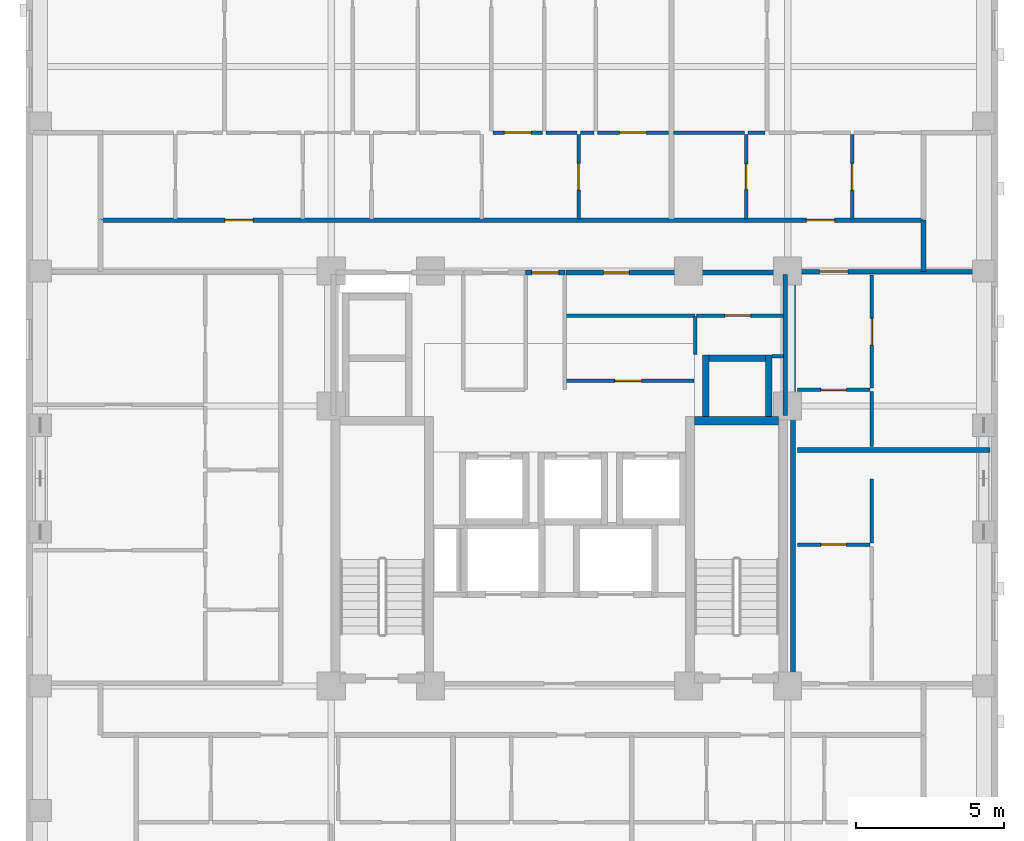
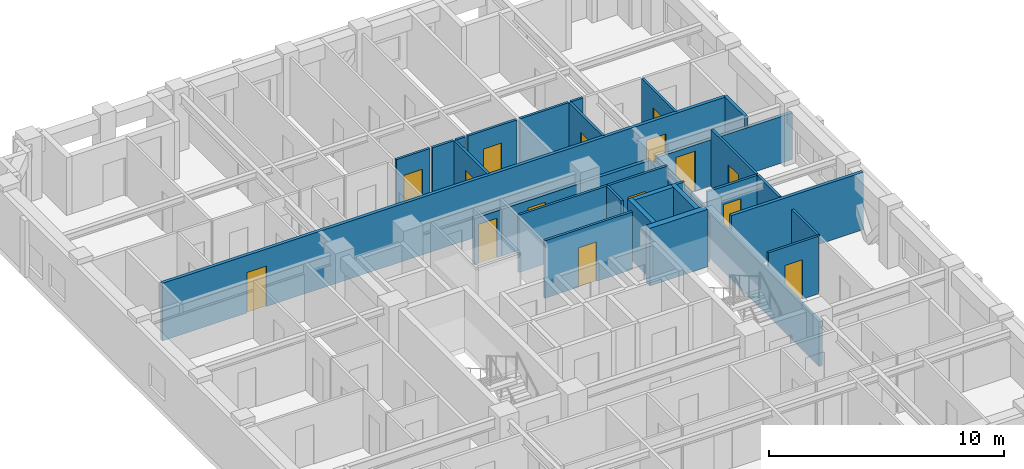
# One storey, part 6 of 11: 31 walls, 15 doors, 15 openings.
"""IFC4 building model written with IfcOpenShell, lengths in metres."""

from ifc_helpers import new_model, si_unit, derived_unit, direction, frame, frame_2d, origin, place, context, subcontext, project, spatial, rectangle, extrude, material, layer, layer_set, type_object, element, fill, save


model = new_model("IFC4")

# Units and contexts
model_context = context("Model", 3, precision=1e-05, world=origin(), true_north=direction((0.0, 1.0)))
body_context = subcontext(model_context, "Body", "Model", "MODEL_VIEW")
ifc_project = project(units=[si_unit("LENGTHUNIT", "METRE"), si_unit("AREAUNIT", "SQUARE_METRE"), si_unit("VOLUMEUNIT", "CUBIC_METRE"), si_unit("PLANEANGLEUNIT", "RADIAN"), si_unit("MASSUNIT", "GRAM", prefix="KILO"), derived_unit("THERMALTRANSMITTANCEUNIT", [(si_unit("MASSUNIT", "GRAM", prefix="KILO"), 1), (si_unit("TIMEUNIT", "SECOND"), -3), (si_unit("THERMODYNAMICTEMPERATUREUNIT", "KELVIN"), -1)])], contexts=[model_context])

# Site, building, storey
site_placement = place(None, origin())
site = spatial("IfcSite", under=ifc_project, at=site_placement, CompositionType="ELEMENT")
building_placement = place(site_placement, origin())
building = spatial("IfcBuilding", under=site, at=building_placement, Name="Korrvale Station Residences", CompositionType="ELEMENT")
storey_placement = place(building_placement, frame((0.0, 0.0, 137.39990234375)))
storey = spatial("IfcBuildingStorey", under=building, at=storey_placement, Name="L39", CompositionType="ELEMENT", Elevation=137.39990234375)

# Walls
ifc_material_1 = material(Name="Concrete C60/75", Category="concrete")
ifc_layer_1 = layer(ifc_material_1, 0.300048828125, Name="Concrete C60/75")
ifc_layer_set_1 = layer_set([ifc_layer_1], Name="Concrete C60/75")
wall_type_1 = type_object("IfcWallType", Name="WAL-CORE-300-C60", PredefinedType="SHEAR", material=ifc_layer_set_1)
wall_1_placement = place(storey_placement, frame((30.050048828125, 23.949951171875, 0.0), z_axis=(0.0, 0.0, 1.0), x_axis=(1.0, 0.0, 0.0)))
element("IfcWall", 1, at=wall_1_placement, inside=storey, type_object=wall_type_1, Name="L39 ST-2 Core Shear Wall North", PredefinedType="SHEAR", context=body_context, shape_type="SweptSolid", body=[
    extrude(rectangle(XDim=2.849853515625, YDim=0.300048828125, at=frame_2d((1.4248046875, 0.0))), origin(), (0.0, 0.0, 1.0), 2.989990234375),
])
ifc_material_2 = material(Name="Acoustic steel-stud gypsum board partition", Category="steel")
ifc_layer_2 = layer(ifc_material_2, 0.1201171875, Name="Acoustic steel-stud gypsum board partition")
ifc_layer_set_2 = layer_set([ifc_layer_2], Name="Acoustic steel-stud gypsum board partition")
wall_type_2 = type_object("IfcWallType", Name="WAL-PART-125", PredefinedType="PARTITIONING", material=ifc_layer_set_2)
wall_2_placement = place(storey_placement, frame((30.080078125, 26.179931640625, 0.0), z_axis=(0.0, 0.0, 1.0), x_axis=(0.0, 1.0, 0.0)))
element("IfcWall", 2, at=wall_2_placement, inside=storey, type_object=wall_type_2, Name="L39 Core Partition CW-CS-W", PredefinedType="PARTITIONING", context=body_context, shape_type="SweptSolid", body=[
    extrude(rectangle(XDim=1.280029296875, YDim=0.1201171875, at=frame_2d((0.64013671875, 0.0))), origin(), (0.0, 0.0, 1.0), 2.989990234375),
])
wall_3_placement = place(storey_placement, frame((32.679931640625, 26.1201171875, 0.0), z_axis=(0.0, 0.0, 1.0), x_axis=(1.0, 0.0, 0.0)))
element("IfcWall", 3, at=wall_3_placement, inside=storey, type_object=wall_type_2, Name="L39 Core Partition CW-CS-S", PredefinedType="PARTITIONING", context=body_context, shape_type="SweptSolid", body=[
    extrude(rectangle(XDim=0.380126953125, YDim=0.1201171875, at=frame_2d((0.18994140625, 0.0))), origin(), (0.0, 0.0, 1.0), 2.989990234375),
])

# Wall, opening, door
wall_4_placement = place(storey_placement, frame((30.1201171875, 27.5, 0.0), z_axis=(0.0, 0.0, 1.0), x_axis=(1.0, 0.0, 0.0)))
wall_4 = element("IfcWall", 4, at=wall_4_placement, inside=storey, type_object=wall_type_2, Name="L39 Core Partition CW-CS-H", PredefinedType="PARTITIONING", context=body_context, shape_type="SweptSolid", body=[
    extrude(rectangle(XDim=2.919921875, YDim=0.1201171875, at=frame_2d((1.4599609375, 0.0))), origin(), (0.0, 0.0, 1.0), 2.989990234375),
])
opening_1_placement = place(wall_4_placement, frame((0.969970703125, 0.0, 0.0)))
opening_1 = element("IfcOpeningElement", 5, at=opening_1_placement, cuts=wall_4, Name="Opening DB-860", PredefinedType="OPENING", context=body_context, shape_type="SweptSolid", body=[
    extrude(rectangle(XDim=0.860107421875, YDim=2.050048828125, at=frame_2d((0.43017578125, 1.02490234375))), frame((0.0, 0.070068359375, 0.0), z_axis=(0.0, -1.0, 0.0), x_axis=(1.0, 0.0, 0.0)), (0.0, 0.0, 1.0), 0.14013671875),
])
ifc_material_3 = material(Name="Moisture-resistant solid-core bathroom door", Category="timber")
door_type_1 = type_object("IfcDoorType", Name="DR-BATH-860", OperationType="NOTDEFINED", PredefinedType="DOOR", material=ifc_material_3)
door_1_placement = place(opening_1_placement, origin())
door_1 = element("IfcDoor", 6, at=door_1_placement, inside=storey, type_object=door_type_1, Name="L39 Mail Sorting Inner Door", OperationType="SINGLE_SWING_LEFT", OverallHeight=2.050048828125, OverallWidth=0.860107421875, PredefinedType="DOOR", context=body_context, shape_type="SweptSolid", body=[
    extrude(rectangle(XDim=0.860107421875, YDim=2.050048828125, at=frame_2d((0.43017578125, 1.02490234375))), frame((0.0, 0.02490234375, 0.0), z_axis=(0.0, -1.0, 0.0), x_axis=(1.0, 0.0, 0.0)), (0.0, 0.0, 1.0), 0.050048828125),
])
fill(opening_1, door_1)

# Wall
wall_5_placement = place(storey_placement, frame((25.719970703125, 27.5, 0.0), z_axis=(0.0, 0.0, 1.0), x_axis=(1.0, 0.0, 0.0)))
element("IfcWall", 7, at=wall_5_placement, inside=storey, type_object=wall_type_2, Name="L39 Core Partition CW-FPLE-H", PredefinedType="PARTITIONING", context=body_context, shape_type="SweptSolid", body=[
    extrude(rectangle(XDim=4.360107421875, YDim=0.1201171875, at=frame_2d((2.18017578125, 0.0))), origin(), (0.0, 0.0, 1.0), 2.989990234375),
])

# Wall, opening, door
wall_6_placement = place(storey_placement, frame((25.719970703125, 25.300048828125, 0.0), z_axis=(0.0, 0.0, 1.0), x_axis=(1.0, 0.0, 0.0)))
wall_6 = element("IfcWall", 8, at=wall_6_placement, inside=storey, type_object=wall_type_2, Name="L39 Core Partition CW-FPLE-S", PredefinedType="PARTITIONING", context=body_context, shape_type="SweptSolid", body=[
    extrude(rectangle(XDim=4.320068359375, YDim=0.1201171875, at=frame_2d((2.16015625, 0.0))), origin(), (0.0, 0.0, 1.0), 2.989990234375),
])
opening_2_placement = place(wall_6_placement, frame((1.64990234375, 0.0, 0.0)))
opening_2 = element("IfcOpeningElement", 9, at=opening_2_placement, cuts=wall_6, Name="Opening DI-900", PredefinedType="OPENING", context=body_context, shape_type="SweptSolid", body=[
    extrude(rectangle(XDim=0.89990234375, YDim=2.050048828125, at=frame_2d((0.449951171875, 1.02490234375))), frame((0.0, 0.070068359375, 0.0), z_axis=(0.0, -1.0, 0.0), x_axis=(1.0, 0.0, 0.0)), (0.0, 0.0, 1.0), 0.14013671875),
])
ifc_material_4 = material(Name="Painted solid-core timber interior room door", Category="wood")
door_type_2 = type_object("IfcDoorType", Name="DR-INT-900", OperationType="NOTDEFINED", PredefinedType="DOOR", material=ifc_material_4)
door_2_placement = place(opening_2_placement, origin())
door_2 = element("IfcDoor", 10, at=door_2_placement, inside=storey, type_object=door_type_2, Name="L39 Housekeeping Linen Door", OperationType="SINGLE_SWING_LEFT", OverallHeight=2.050048828125, OverallWidth=0.89990234375, PredefinedType="DOOR", context=body_context, shape_type="SweptSolid", body=[
    extrude(rectangle(XDim=0.89990234375, YDim=2.050048828125, at=frame_2d((0.449951171875, 1.02490234375))), frame((0.0, 0.02490234375, 0.0), z_axis=(0.0, -1.0, 0.0), x_axis=(1.0, 0.0, 0.0)), (0.0, 0.0, 1.0), 0.050048828125),
])
fill(opening_2, door_2)

wall_7_placement = place(storey_placement, frame((26.14990234375, 30.760009765625, 0.0), z_axis=(0.0, 0.0, 1.0), x_axis=(0.0, 1.0, 0.0)))
wall_7 = element("IfcWall", 11, at=wall_7_placement, inside=storey, type_object=wall_type_2, Name="L39 Suite Partition U04-V45", PredefinedType="PARTITIONING", context=body_context, shape_type="SweptSolid", body=[
    extrude(rectangle(XDim=2.85009765625, YDim=0.1201171875, at=frame_2d((1.425048828125, 0.0))), origin(), (0.0, 0.0, 1.0), 2.989990234375),
])
opening_3_placement = place(wall_7_placement, frame((0.97509765625, 0.0, 0.0)))
opening_3 = element("IfcOpeningElement", 12, at=opening_3_placement, cuts=wall_7, Name="Opening DI-900", PredefinedType="OPENING", context=body_context, shape_type="SweptSolid", body=[
    extrude(rectangle(XDim=0.89990234375, YDim=2.050048828125, at=frame_2d((0.449951171875, 1.02490234375))), frame((0.0, 0.070068359375, 0.0), z_axis=(0.0, -1.0, 0.0), x_axis=(1.0, 0.0, 0.0)), (0.0, 0.0, 1.0), 0.14013671875),
])
door_3_placement = place(opening_3_placement, origin())
door_3 = element("IfcDoor", 13, at=door_3_placement, inside=storey, type_object=door_type_2, Name="L39 Apartment 2BR L39-U04 Storage Closet 2 Door", OperationType="SINGLE_SWING_RIGHT", OverallHeight=2.050048828125, OverallWidth=0.89990234375, PredefinedType="DOOR", context=body_context, shape_type="SweptSolid", body=[
    extrude(rectangle(XDim=0.89990234375, YDim=2.050048828125, at=frame_2d((0.449951171875, 1.02490234375))), frame((0.0, 0.02490234375, 0.0), z_axis=(0.0, -1.0, 0.0), x_axis=(1.0, 0.0, 0.0)), (0.0, 0.0, 1.0), 0.050048828125),
])
fill(opening_3, door_3)

wall_8_placement = place(storey_placement, frame((23.260009765625, 33.669921875, 0.0), z_axis=(0.0, 0.0, 1.0), x_axis=(1.0, 0.0, 0.0)))
wall_8 = element("IfcWall", 14, at=wall_8_placement, inside=storey, type_object=wall_type_2, Name="L39 Suite Partition U04-H410", PredefinedType="PARTITIONING", context=body_context, shape_type="SweptSolid", body=[
    extrude(rectangle(XDim=1.6650390625, YDim=0.1201171875, at=frame_2d((0.83251953125, 0.0))), origin(), (0.0, 0.0, 1.0), 2.989990234375),
])
opening_4_placement = place(wall_8_placement, frame((0.382080078125, 0.0, 0.0)))
opening_4 = element("IfcOpeningElement", 15, at=opening_4_placement, cuts=wall_8, Name="Opening DI-900", PredefinedType="OPENING", context=body_context, shape_type="SweptSolid", body=[
    extrude(rectangle(XDim=0.89990234375, YDim=2.050048828125, at=frame_2d((0.449951171875, 1.02490234375))), frame((0.0, 0.070068359375, 0.0), z_axis=(0.0, -1.0, 0.0), x_axis=(1.0, 0.0, 0.0)), (0.0, 0.0, 1.0), 0.14013671875),
])
door_4_placement = place(opening_4_placement, origin())
door_4 = element("IfcDoor", 16, at=door_4_placement, inside=storey, type_object=door_type_2, Name="L39 Apartment 2BR L39-U04 Storage Closet 2 Door", OperationType="SINGLE_SWING_LEFT", OverallHeight=2.050048828125, OverallWidth=0.89990234375, PredefinedType="DOOR", context=body_context, shape_type="SweptSolid", body=[
    extrude(rectangle(XDim=0.89990234375, YDim=2.050048828125, at=frame_2d((0.449951171875, 1.02490234375))), frame((0.0, 0.02490234375, 0.0), z_axis=(0.0, -1.0, 0.0), x_axis=(1.0, 0.0, 0.0)), (0.0, 0.0, 1.0), 0.050048828125),
])
fill(opening_4, door_4)

# Walls
wall_9_placement = place(storey_placement, frame((25.044921875, 33.669921875, 0.0), z_axis=(0.0, 0.0, 1.0), x_axis=(1.0, 0.0, 0.0)))
element("IfcWall", 17, at=wall_9_placement, inside=storey, type_object=wall_type_2, Name="L39 Suite Partition U04-H411", PredefinedType="PARTITIONING", context=body_context, shape_type="SweptSolid", body=[
    extrude(rectangle(XDim=1.045166015625, YDim=0.1201171875, at=frame_2d((0.5224609375, 0.0))), origin(), (0.0, 0.0, 1.0), 2.989990234375),
])
wall_10_placement = place(storey_placement, frame((26.2099609375, 33.669921875, 0.0), z_axis=(0.0, 0.0, 1.0), x_axis=(1.0, 0.0, 0.0)))
element("IfcWall", 18, at=wall_10_placement, inside=storey, type_object=wall_type_2, Name="L39 Suite Partition U04-H511", PredefinedType="PARTITIONING", context=body_context, shape_type="SweptSolid", body=[
    extrude(rectangle(XDim=0.455078125, YDim=0.1201171875, at=frame_2d((0.2275390625, 0.0))), origin(), (0.0, 0.0, 1.0), 2.989990234375),
])

# Wall, opening, door
wall_11_placement = place(storey_placement, frame((26.784912109375, 33.669921875, 0.0), z_axis=(0.0, 0.0, 1.0), x_axis=(1.0, 0.0, 0.0)))
wall_11 = element("IfcWall", 19, at=wall_11_placement, inside=storey, type_object=wall_type_2, Name="L39 Suite Partition U04-H512", PredefinedType="PARTITIONING", context=body_context, shape_type="SweptSolid", body=[
    extrude(rectangle(XDim=2.398193359375, YDim=0.1201171875, at=frame_2d((1.19921875, 0.0))), origin(), (0.0, 0.0, 1.0), 2.989990234375),
])
opening_5_placement = place(wall_11_placement, frame((0.7490234375, 0.0, 0.0)))
opening_5 = element("IfcOpeningElement", 20, at=opening_5_placement, cuts=wall_11, Name="Opening DI-900", PredefinedType="OPENING", context=body_context, shape_type="SweptSolid", body=[
    extrude(rectangle(XDim=0.89990234375, YDim=2.050048828125, at=frame_2d((0.449951171875, 1.02490234375))), frame((0.0, 0.070068359375, 0.0), z_axis=(0.0, -1.0, 0.0), x_axis=(1.0, 0.0, 0.0)), (0.0, 0.0, 1.0), 0.14013671875),
])
door_5_placement = place(opening_5_placement, origin())
door_5 = element("IfcDoor", 21, at=door_5_placement, inside=storey, type_object=door_type_2, Name="L39 Apartment 2BR L39-U04 Storage Closet 3 Door", OperationType="SINGLE_SWING_RIGHT", OverallHeight=2.050048828125, OverallWidth=0.89990234375, PredefinedType="DOOR", context=body_context, shape_type="SweptSolid", body=[
    extrude(rectangle(XDim=0.89990234375, YDim=2.050048828125, at=frame_2d((0.449951171875, 1.02490234375))), frame((0.0, 0.02490234375, 0.0), z_axis=(0.0, -1.0, 0.0), x_axis=(1.0, 0.0, 0.0)), (0.0, 0.0, 1.0), 0.050048828125),
])
fill(opening_5, door_5)

wall_12_placement = place(storey_placement, frame((31.802978515625, 30.760009765625, 0.0), z_axis=(0.0, 0.0, 1.0), x_axis=(0.0, 1.0, 0.0)))
wall_12 = element("IfcWall", 22, at=wall_12_placement, inside=storey, type_object=wall_type_2, Name="L39 Suite Partition U05-V01", PredefinedType="PARTITIONING", context=body_context, shape_type="SweptSolid", body=[
    extrude(rectangle(XDim=2.85009765625, YDim=0.1201171875, at=frame_2d((1.425048828125, 0.0))), origin(), (0.0, 0.0, 1.0), 2.989990234375),
])
opening_6_placement = place(wall_12_placement, frame((0.9951171875, 0.0, 0.0)))
opening_6 = element("IfcOpeningElement", 23, at=opening_6_placement, cuts=wall_12, Name="Opening DB-860", PredefinedType="OPENING", context=body_context, shape_type="SweptSolid", body=[
    extrude(rectangle(XDim=0.860107421875, YDim=2.050048828125, at=frame_2d((0.43017578125, 1.02490234375))), frame((0.0, 0.070068359375, 0.0), z_axis=(0.0, -1.0, 0.0), x_axis=(1.0, 0.0, 0.0)), (0.0, 0.0, 1.0), 0.14013671875),
])
door_6_placement = place(opening_6_placement, origin())
door_6 = element("IfcDoor", 24, at=door_6_placement, inside=storey, type_object=door_type_1, Name="L39 Studio Apartment L39-U05 Bathroom Door", OperationType="SINGLE_SWING_LEFT", OverallHeight=2.050048828125, OverallWidth=0.860107421875, PredefinedType="DOOR", context=body_context, shape_type="SweptSolid", body=[
    extrude(rectangle(XDim=0.860107421875, YDim=2.050048828125, at=frame_2d((0.43017578125, 1.02490234375))), frame((0.0, 0.02490234375, 0.0), z_axis=(0.0, -1.0, 0.0), x_axis=(1.0, 0.0, 0.0)), (0.0, 0.0, 1.0), 0.050048828125),
])
fill(opening_6, door_6)

# Wall
wall_13_placement = place(storey_placement, frame((29.343017578125, 33.669921875, 0.0), z_axis=(0.0, 0.0, 1.0), x_axis=(1.0, 0.0, 0.0)))
element("IfcWall", 25, at=wall_13_placement, inside=storey, type_object=wall_type_2, Name="L39 Suite Partition U05-H03", PredefinedType="PARTITIONING", context=body_context, shape_type="SweptSolid", body=[
    extrude(rectangle(XDim=2.39990234375, YDim=0.1201171875, at=frame_2d((1.199951171875, 0.0))), origin(), (0.0, 0.0, 1.0), 2.989990234375),
])

# Wall, opening, door
wall_14_placement = place(storey_placement, frame((35.373046875, 30.760009765625, 0.0), z_axis=(0.0, 0.0, 1.0), x_axis=(0.0, 1.0, 0.0)))
wall_14 = element("IfcWall", 26, at=wall_14_placement, inside=storey, type_object=wall_type_2, Name="L39 Suite Partition U05-V12", PredefinedType="PARTITIONING", context=body_context, shape_type="SweptSolid", body=[
    extrude(rectangle(XDim=2.85009765625, YDim=0.1201171875, at=frame_2d((1.425048828125, 0.0))), origin(), (0.0, 0.0, 1.0), 2.989990234375),
])
opening_7_placement = place(wall_14_placement, frame((0.97509765625, 0.0, 0.0)))
opening_7 = element("IfcOpeningElement", 27, at=opening_7_placement, cuts=wall_14, Name="Opening DI-900", PredefinedType="OPENING", context=body_context, shape_type="SweptSolid", body=[
    extrude(rectangle(XDim=0.89990234375, YDim=2.050048828125, at=frame_2d((0.449951171875, 1.02490234375))), frame((0.0, 0.070068359375, 0.0), z_axis=(0.0, -1.0, 0.0), x_axis=(1.0, 0.0, 0.0)), (0.0, 0.0, 1.0), 0.14013671875),
])
door_7_placement = place(opening_7_placement, origin())
door_7 = element("IfcDoor", 28, at=door_7_placement, inside=storey, type_object=door_type_2, Name="L39 Studio Apartment L39-U05 Kitchen Door", OperationType="SINGLE_SWING_RIGHT", OverallHeight=2.050048828125, OverallWidth=0.89990234375, PredefinedType="DOOR", context=body_context, shape_type="SweptSolid", body=[
    extrude(rectangle(XDim=0.89990234375, YDim=2.050048828125, at=frame_2d((0.449951171875, 1.02490234375))), frame((0.0, 0.02490234375, 0.0), z_axis=(0.0, -1.0, 0.0), x_axis=(1.0, 0.0, 0.0)), (0.0, 0.0, 1.0), 0.050048828125),
])
fill(opening_7, door_7)

# Wall
wall_15_placement = place(storey_placement, frame((31.863037109375, 33.669921875, 0.0), z_axis=(0.0, 0.0, 1.0), x_axis=(1.0, 0.0, 0.0)))
element("IfcWall", 29, at=wall_15_placement, inside=storey, type_object=wall_type_2, Name="L39 Suite Partition U05-H13", PredefinedType="PARTITIONING", context=body_context, shape_type="SweptSolid", body=[
    extrude(rectangle(XDim=0.580078125, YDim=0.1201171875, at=frame_2d((0.2900390625, 0.0))), origin(), (0.0, 0.0, 1.0), 2.989990234375),
])

# Wall, opening, door
wall_16_placement = place(storey_placement, frame((33.530029296875, 19.77001953125, 0.0), z_axis=(0.0, 0.0, 1.0), x_axis=(1.0, 0.0, 0.0)))
wall_16 = element("IfcWall", 30, at=wall_16_placement, inside=storey, type_object=wall_type_2, Name="L39 Suite Partition U07-H01", PredefinedType="PARTITIONING", context=body_context, shape_type="SweptSolid", body=[
    extrude(rectangle(XDim=2.449951171875, YDim=0.1201171875, at=frame_2d((1.22509765625, 0.0))), origin(), (0.0, 0.0, 1.0), 2.989990234375),
])
opening_8_placement = place(wall_16_placement, frame((0.794921875, 0.0, 0.0)))
opening_8 = element("IfcOpeningElement", 31, at=opening_8_placement, cuts=wall_16, Name="Opening DB-860", PredefinedType="OPENING", context=body_context, shape_type="SweptSolid", body=[
    extrude(rectangle(XDim=0.860107421875, YDim=2.050048828125, at=frame_2d((0.43017578125, 1.02490234375))), frame((0.0, 0.070068359375, 0.0), z_axis=(0.0, -1.0, 0.0), x_axis=(1.0, 0.0, 0.0)), (0.0, 0.0, 1.0), 0.14013671875),
])
door_8_placement = place(opening_8_placement, origin())
door_8 = element("IfcDoor", 32, at=door_8_placement, inside=storey, type_object=door_type_1, Name="L39 Apartment 1BR L39-U07 Bathroom Door", OperationType="SINGLE_SWING_LEFT", OverallHeight=2.050048828125, OverallWidth=0.860107421875, PredefinedType="DOOR", context=body_context, shape_type="SweptSolid", body=[
    extrude(rectangle(XDim=0.860107421875, YDim=2.050048828125, at=frame_2d((0.43017578125, 1.02490234375))), frame((0.0, 0.02490234375, 0.0), z_axis=(0.0, -1.0, 0.0), x_axis=(1.0, 0.0, 0.0)), (0.0, 0.0, 1.0), 0.050048828125),
])
fill(opening_8, door_8)

# Wall
wall_17_placement = place(storey_placement, frame((36.0400390625, 19.830078125, 0.0), z_axis=(0.0, 0.0, 1.0), x_axis=(0.0, 1.0, 0.0)))
element("IfcWall", 33, at=wall_17_placement, inside=storey, type_object=wall_type_2, Name="L39 Suite Partition U07-V02", PredefinedType="PARTITIONING", context=body_context, shape_type="SweptSolid", body=[
    extrude(rectangle(XDim=2.158935546875, YDim=0.1201171875, at=frame_2d((1.07958984375, 0.0))), origin(), (0.0, 0.0, 1.0), 2.989990234375),
])

# Wall, opening, door
wall_18_placement = place(storey_placement, frame((33.530029296875, 24.991943359375, 0.0), z_axis=(0.0, 0.0, 1.0), x_axis=(1.0, 0.0, 0.0)))
wall_18 = element("IfcWall", 34, at=wall_18_placement, inside=storey, type_object=wall_type_2, Name="L39 Suite Partition U08-H01", PredefinedType="PARTITIONING", context=body_context, shape_type="SweptSolid", body=[
    extrude(rectangle(XDim=2.449951171875, YDim=0.1201171875, at=frame_2d((1.22509765625, 0.0))), origin(), (0.0, 0.0, 1.0), 2.989990234375),
])
opening_9_placement = place(wall_18_placement, frame((0.794921875, 0.0, 0.0)))
opening_9 = element("IfcOpeningElement", 35, at=opening_9_placement, cuts=wall_18, Name="Opening DB-860", PredefinedType="OPENING", context=body_context, shape_type="SweptSolid", body=[
    extrude(rectangle(XDim=0.860107421875, YDim=2.050048828125, at=frame_2d((0.43017578125, 1.02490234375))), frame((0.0, 0.070068359375, 0.0), z_axis=(0.0, -1.0, 0.0), x_axis=(1.0, 0.0, 0.0)), (0.0, 0.0, 1.0), 0.14013671875),
])
door_9_placement = place(opening_9_placement, origin())
door_9 = element("IfcDoor", 36, at=door_9_placement, inside=storey, type_object=door_type_1, Name="L39 Apartment 1BR L39-U08 Bathroom Door", OperationType="SINGLE_SWING_RIGHT", OverallHeight=2.050048828125, OverallWidth=0.860107421875, PredefinedType="DOOR", context=body_context, shape_type="SweptSolid", body=[
    extrude(rectangle(XDim=0.860107421875, YDim=2.050048828125, at=frame_2d((0.43017578125, 1.02490234375))), frame((0.0, 0.02490234375, 0.0), z_axis=(0.0, -1.0, 0.0), x_axis=(1.0, 0.0, 0.0)), (0.0, 0.0, 1.0), 0.050048828125),
])
fill(opening_9, door_9)

# Wall
wall_19_placement = place(storey_placement, frame((36.0400390625, 23.08203125, 0.0), z_axis=(0.0, 0.0, 1.0), x_axis=(0.0, 1.0, 0.0)))
element("IfcWall", 37, at=wall_19_placement, inside=storey, type_object=wall_type_2, Name="L39 Suite Partition U08-V02", PredefinedType="PARTITIONING", context=body_context, shape_type="SweptSolid", body=[
    extrude(rectangle(XDim=1.849853515625, YDim=0.1201171875, at=frame_2d((0.9248046875, 0.0))), origin(), (0.0, 0.0, 1.0), 2.989990234375),
])

# Wall, opening, door
wall_20_placement = place(storey_placement, frame((36.0400390625, 25.052001953125, 0.0), z_axis=(0.0, 0.0, 1.0), x_axis=(0.0, 1.0, 0.0)))
wall_20 = element("IfcWall", 38, at=wall_20_placement, inside=storey, type_object=wall_type_2, Name="L39 Suite Partition U08-V12", PredefinedType="PARTITIONING", context=body_context, shape_type="SweptSolid", body=[
    extrude(rectangle(XDim=3.80810546875, YDim=0.1201171875, at=frame_2d((1.904052734375, 0.0))), origin(), (0.0, 0.0, 1.0), 2.989990234375),
])
opening_10_placement = place(wall_20_placement, frame((1.4541015625, 0.0, 0.0)))
opening_10 = element("IfcOpeningElement", 39, at=opening_10_placement, cuts=wall_20, Name="Opening DI-900", PredefinedType="OPENING", context=body_context, shape_type="SweptSolid", body=[
    extrude(rectangle(XDim=0.89990234375, YDim=2.050048828125, at=frame_2d((0.449951171875, 1.02490234375))), frame((0.0, 0.070068359375, 0.0), z_axis=(0.0, -1.0, 0.0), x_axis=(1.0, 0.0, 0.0)), (0.0, 0.0, 1.0), 0.14013671875),
])
door_10_placement = place(opening_10_placement, origin())
door_10 = element("IfcDoor", 40, at=door_10_placement, inside=storey, type_object=door_type_2, Name="L39 Apartment 1BR L39-U08 Kitchen Door", OperationType="SINGLE_SWING_LEFT", OverallHeight=2.050048828125, OverallWidth=0.89990234375, PredefinedType="DOOR", context=body_context, shape_type="SweptSolid", body=[
    extrude(rectangle(XDim=0.89990234375, YDim=2.050048828125, at=frame_2d((0.449951171875, 1.02490234375))), frame((0.0, 0.02490234375, 0.0), z_axis=(0.0, -1.0, 0.0), x_axis=(1.0, 0.0, 0.0)), (0.0, 0.0, 1.0), 0.050048828125),
])
fill(opening_10, door_10)

# Wall
ifc_material_5 = material(Name="Fire-rated twin-stud gypsum and mineral wool shaftwall assembly", Category="gypsum")
ifc_layer_3 = layer(ifc_material_5, 0.159912109375, Name="Fire-rated twin-stud gypsum and mineral wool shaftwall assembly")
ifc_layer_set_3 = layer_set([ifc_layer_3], Name="Fire-rated twin-stud gypsum and mineral wool shaftwall assembly")
wall_type_3 = type_object("IfcWallType", Name="WAL-PART-200", PredefinedType="PARTITIONING", material=ifc_layer_set_3)
wall_21_placement = place(storey_placement, frame((33.1201171875, 24.1201171875, 0.0), z_axis=(0.0, 0.0, 1.0), x_axis=(0.0, 1.0, 0.0)))
element("IfcWall", 41, at=wall_21_placement, inside=storey, type_object=wall_type_3, Name="L39 Core Partition CW-E-N", PredefinedType="PARTITIONING", context=body_context, shape_type="SweptSolid", body=[
    extrude(rectangle(XDim=4.759765625, YDim=0.159912109375, at=frame_2d((2.3798828125, 0.0))), origin(), (0.0, 0.0, 1.0), 2.3251953125),
])

# Wall, opening, door
wall_22_placement = place(storey_placement, frame((24.360107421875, 28.949951171875, 0.0), z_axis=(0.0, 0.0, 1.0), x_axis=(1.0, 0.0, 0.0)))
wall_22 = element("IfcWall", 42, at=wall_22_placement, inside=storey, type_object=wall_type_3, Name="L39 Core Partition CW-LLOB-N", PredefinedType="PARTITIONING", context=body_context, shape_type="SweptSolid", body=[
    extrude(rectangle(XDim=1.31982421875, YDim=0.159912109375, at=frame_2d((0.659912109375, 0.0))), origin(), (0.0, 0.0, 1.0), 2.426025390625),
])
opening_11_placement = place(wall_22_placement, frame((0.2099609375, 0.0, 0.0)))
opening_11 = element("IfcOpeningElement", 43, at=opening_11_placement, cuts=wall_22, Name="Opening DI-900", PredefinedType="OPENING", context=body_context, shape_type="SweptSolid", body=[
    extrude(rectangle(XDim=0.89990234375, YDim=2.050048828125, at=frame_2d((0.449951171875, 1.02490234375))), frame((0.0, 0.08984375, 0.0), z_axis=(0.0, -1.0, 0.0), x_axis=(1.0, 0.0, 0.0)), (0.0, 0.0, 1.0), 0.179931640625),
])
door_11_placement = place(opening_11_placement, origin())
door_11 = element("IfcDoor", 44, at=door_11_placement, inside=storey, type_object=door_type_2, Name="L39 Central Hallway North Passage Door", OperationType="SINGLE_SWING_LEFT", OverallHeight=2.050048828125, OverallWidth=0.89990234375, PredefinedType="DOOR", context=body_context, shape_type="SweptSolid", body=[
    extrude(rectangle(XDim=0.89990234375, YDim=2.050048828125, at=frame_2d((0.449951171875, 1.02490234375))), frame((0.0, 0.02490234375, 0.0), z_axis=(0.0, -1.0, 0.0), x_axis=(1.0, 0.0, 0.0)), (0.0, 0.0, 1.0), 0.050048828125),
])
fill(opening_11, door_11)

wall_23_placement = place(storey_placement, frame((25.719970703125, 28.949951171875, 0.0), z_axis=(0.0, 0.0, 1.0), x_axis=(1.0, 0.0, 0.0)))
wall_23 = element("IfcWall", 45, at=wall_23_placement, inside=storey, type_object=wall_type_3, Name="L39 Core Partition CW-FPLE-N", PredefinedType="PARTITIONING", context=body_context, shape_type="SweptSolid", body=[
    extrude(rectangle(XDim=7.320068359375, YDim=0.159912109375, at=frame_2d((3.66015625, 0.0))), origin(), (0.0, 0.0, 1.0), 2.426025390625),
])
opening_12_placement = place(wall_23_placement, frame((1.27001953125, 0.0, 0.0)))
opening_12 = element("IfcOpeningElement", 46, at=opening_12_placement, cuts=wall_23, Name="Opening DB-860", PredefinedType="OPENING", context=body_context, shape_type="SweptSolid", body=[
    extrude(rectangle(XDim=0.860107421875, YDim=2.050048828125, at=frame_2d((0.43017578125, 1.02490234375))), frame((0.0, 0.08984375, 0.0), z_axis=(0.0, -1.0, 0.0), x_axis=(1.0, 0.0, 0.0)), (0.0, 0.0, 1.0), 0.179931640625),
])
door_12_placement = place(opening_12_placement, origin())
door_12 = element("IfcDoor", 47, at=door_12_placement, inside=storey, type_object=door_type_1, Name="L39 Luggage Pantry Door", OperationType="SINGLE_SWING_RIGHT", OverallHeight=2.050048828125, OverallWidth=0.860107421875, PredefinedType="DOOR", context=body_context, shape_type="SweptSolid", body=[
    extrude(rectangle(XDim=0.860107421875, YDim=2.050048828125, at=frame_2d((0.43017578125, 1.02490234375))), frame((0.0, 0.02490234375, 0.0), z_axis=(0.0, -1.0, 0.0), x_axis=(1.0, 0.0, 0.0)), (0.0, 0.0, 1.0), 0.050048828125),
])
fill(opening_12, door_12)

# Walls
wall_24_placement = place(storey_placement, frame((37.780029296875, 28.97998046875, 0.0), z_axis=(0.0, 0.0, 1.0), x_axis=(0.0, 1.0, 0.0)))
element("IfcWall", 48, at=wall_24_placement, inside=storey, type_object=wall_type_3, Name="L39 Corridor North East Cap", PredefinedType="PARTITIONING", context=body_context, shape_type="SweptSolid", body=[
    extrude(rectangle(XDim=1.739990234375, YDim=0.159912109375, at=frame_2d((0.8701171875, 0.0))), origin(), (0.0, 0.0, 1.0), 2.989990234375),
])
wall_25_placement = place(storey_placement, frame((33.530029296875, 22.9619140625, 0.0), z_axis=(0.0, 0.0, 1.0), x_axis=(1.0, 0.0, 0.0)))
element("IfcWall", 49, at=wall_25_placement, inside=storey, type_object=wall_type_3, Name="L39 Demising Wall U07-N", PredefinedType="PARTITIONING", context=body_context, shape_type="SweptSolid", body=[
    extrude(rectangle(XDim=6.489990234375, YDim=0.159912109375, at=frame_2d((3.2451171875, 0.0))), origin(), (0.0, 0.0, 1.0), 2.989990234375),
])

# Wall, opening, door
wall_26_placement = place(storey_placement, frame((33.3798828125, 28.97998046875, 0.0), z_axis=(0.0, 0.0, 1.0), x_axis=(1.0, 0.0, 0.0)))
wall_26 = element("IfcWall", 50, at=wall_26_placement, inside=storey, type_object=wall_type_3, Name="L39 Side Suite North Entry Wall U08", PredefinedType="PARTITIONING", context=body_context, shape_type="SweptSolid", body=[
    extrude(rectangle(XDim=6.64013671875, YDim=0.159912109375, at=frame_2d((3.320068359375, 0.0))), origin(), (0.0, 0.0, 1.0), 2.426025390625),
])
opening_13_placement = place(wall_26_placement, frame((0.89990234375, 0.0, 0.0)))
opening_13 = element("IfcOpeningElement", 51, at=opening_13_placement, cuts=wall_26, Name="Opening UD-950", PredefinedType="OPENING", context=body_context, shape_type="SweptSolid", body=[
    extrude(rectangle(XDim=0.949951171875, YDim=2.10009765625, at=frame_2d((0.47509765625, 1.050048828125))), frame((0.0, 0.08984375, 0.0), z_axis=(0.0, -1.0, 0.0), x_axis=(1.0, 0.0, 0.0)), (0.0, 0.0, 1.0), 0.179931640625),
])
ifc_material_6 = material(Name="Solid-core acoustic oak apartment entrance door", Category="timber")
door_type_3 = type_object("IfcDoorType", Name="DR-UNIT-950", OperationType="NOTDEFINED", PredefinedType="DOOR", material=ifc_material_6)
door_13_placement = place(opening_13_placement, origin())
door_13 = element("IfcDoor", 52, at=door_13_placement, inside=storey, type_object=door_type_3, Name="L39 Apartment L39-U08 Entrance Door", OperationType="SINGLE_SWING_LEFT", OverallHeight=2.10009765625, OverallWidth=0.949951171875, PredefinedType="DOOR", context=body_context, shape_type="SweptSolid", body=[
    extrude(rectangle(XDim=0.949951171875, YDim=2.10009765625, at=frame_2d((0.47509765625, 1.050048828125))), frame((0.0, 0.02490234375, 0.0), z_axis=(0.0, -1.0, 0.0), x_axis=(1.0, 0.0, 0.0)), (0.0, 0.0, 1.0), 0.050048828125),
])
fill(opening_13, door_13)

# Wall, openings, doors
wall_27_placement = place(storey_placement, frame((10.050048828125, 30.719970703125, 0.0), z_axis=(0.0, 0.0, 1.0), x_axis=(1.0, 0.0, 0.0)))
wall_27 = element("IfcWall", 53, at=wall_27_placement, inside=storey, type_object=wall_type_3, Name="L39 Rated Corridor Wall N", PredefinedType="PARTITIONING", context=body_context, shape_type="SweptSolid", body=[
    extrude(rectangle(XDim=27.699951171875, YDim=0.159912109375, at=frame_2d((13.85009765625, 0.0))), origin(), (0.0, 0.0, 1.0), 2.989990234375),
])
opening_14_placement = place(wall_27_placement, frame((4.1650390625, 0.0, 0.0)))
opening_14 = element("IfcOpeningElement", 54, at=opening_14_placement, cuts=wall_27, Name="Opening UD-950", PredefinedType="OPENING", context=body_context, shape_type="SweptSolid", body=[
    extrude(rectangle(XDim=0.949951171875, YDim=2.10009765625, at=frame_2d((0.47509765625, 1.050048828125))), frame((0.0, 0.08984375, 0.0), z_axis=(0.0, -1.0, 0.0), x_axis=(1.0, 0.0, 0.0)), (0.0, 0.0, 1.0), 0.179931640625),
])
opening_15_placement = place(wall_27_placement, frame((23.784912109375, 0.0, 0.0)))
opening_15 = element("IfcOpeningElement", 55, at=opening_15_placement, cuts=wall_27, Name="Opening UD-950", PredefinedType="OPENING", context=body_context, shape_type="SweptSolid", body=[
    extrude(rectangle(XDim=0.949951171875, YDim=2.10009765625, at=frame_2d((0.47509765625, 1.050048828125))), frame((0.0, 0.08984375, 0.0), z_axis=(0.0, -1.0, 0.0), x_axis=(1.0, 0.0, 0.0)), (0.0, 0.0, 1.0), 0.179931640625),
])
door_14_placement = place(opening_14_placement, origin())
door_14 = element("IfcDoor", 56, at=door_14_placement, inside=storey, type_object=door_type_3, Name="L39 Apartment L39-U04 Entrance Door", OperationType="SINGLE_SWING_LEFT", OverallHeight=2.10009765625, OverallWidth=0.949951171875, PredefinedType="DOOR", context=body_context, shape_type="SweptSolid", body=[
    extrude(rectangle(XDim=0.949951171875, YDim=2.10009765625, at=frame_2d((0.47509765625, 1.050048828125))), frame((0.0, 0.02490234375, 0.0), z_axis=(0.0, -1.0, 0.0), x_axis=(1.0, 0.0, 0.0)), (0.0, 0.0, 1.0), 0.050048828125),
])
fill(opening_14, door_14)
door_15_placement = place(opening_15_placement, origin())
door_15 = element("IfcDoor", 57, at=door_15_placement, inside=storey, type_object=door_type_3, Name="L39 Apartment L39-U05 Entrance Door", OperationType="SINGLE_SWING_RIGHT", OverallHeight=2.10009765625, OverallWidth=0.949951171875, PredefinedType="DOOR", context=body_context, shape_type="SweptSolid", body=[
    extrude(rectangle(XDim=0.949951171875, YDim=2.10009765625, at=frame_2d((0.47509765625, 1.050048828125))), frame((0.0, 0.02490234375, 0.0), z_axis=(0.0, -1.0, 0.0), x_axis=(1.0, 0.0, 0.0)), (0.0, 0.0, 1.0), 0.050048828125),
])
fill(opening_15, door_15)

# Walls
wall_28_placement = place(storey_placement, frame((33.3798828125, 15.02001953125, 0.0), z_axis=(0.0, 0.0, 1.0), x_axis=(0.0, 1.0, 0.0)))
element("IfcWall", 58, at=wall_28_placement, inside=storey, type_object=wall_type_3, Name="L39 Rated Corridor Wall E", PredefinedType="PARTITIONING", context=body_context, shape_type="SweptSolid", body=[
    extrude(rectangle(XDim=13.97998046875, YDim=0.159912109375, at=frame_2d((6.989990234375, 0.0))), origin(), (0.0, 0.0, 1.0), 2.3251953125),
])
ifc_layer_4 = layer(ifc_material_1, 0.219970703125, Name="Concrete C60/75")
ifc_layer_set_4 = layer_set([ifc_layer_4], Name="Concrete C60/75")
wall_type_4 = type_object("IfcWallType", Name="WAL-SHAFT-220-C60", PredefinedType="SHEAR", material=ifc_layer_set_4)
wall_29_placement = place(storey_placement, frame((30.550048828125, 26.06005859375, 0.0), z_axis=(0.0, 0.0, 1.0), x_axis=(1.0, 0.0, 0.0)))
element("IfcWall", 59, at=wall_29_placement, inside=storey, type_object=wall_type_4, Name="L39 Elevator PH-3 Hoistway Wall North", PredefinedType="SHEAR", context=body_context, shape_type="SweptSolid", body=[
    extrude(rectangle(XDim=1.89990234375, YDim=0.219970703125, at=frame_2d((0.949951171875, 0.0))), origin(), (0.0, 0.0, 1.0), 2.989990234375),
])
for number, where, z_axis, x_axis, name in (
    (60, (30.43994140625, 24.10009765625, 0.0), (0.0, 0.0, 1.0), (0.0, 1.0, 0.0), "L39 Elevator PH-3 Hoistway Wall West"),
    (61, (32.56005859375, 24.10009765625, 0.0), (0.0, 0.0, 1.0), (0.0, 1.0, 0.0), "L39 Elevator PH-3 Hoistway Wall East"),
):
    element("IfcWall", number, at=place(storey_placement, frame(where, z_axis=z_axis, x_axis=x_axis)), inside=storey, type_object=wall_type_4, Name=name, PredefinedType="SHEAR", context=body_context, shape_type="SweptSolid", body=[
        extrude(rectangle(XDim=2.06982421875, YDim=0.219970703125, at=frame_2d((1.034912109375, 0.0))), origin(), (0.0, 0.0, 1.0), 2.989990234375),
    ])

save(model, "model.ifc")
